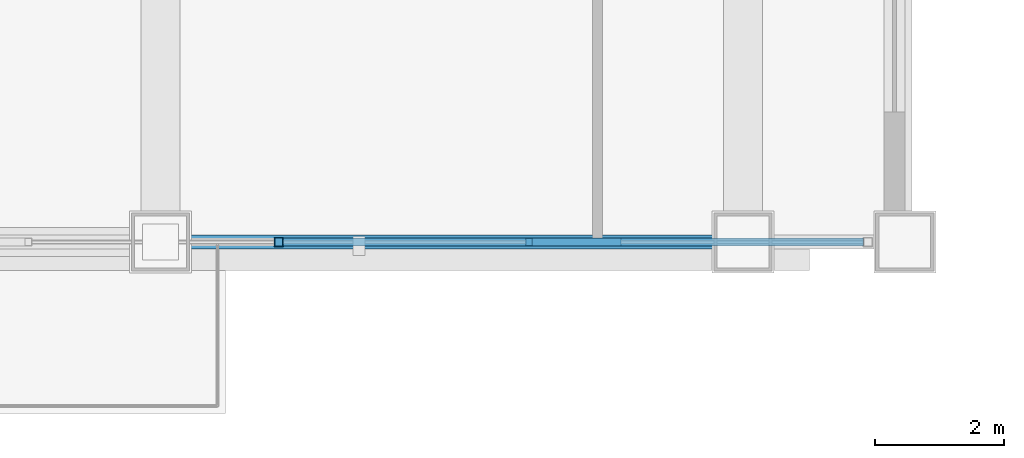
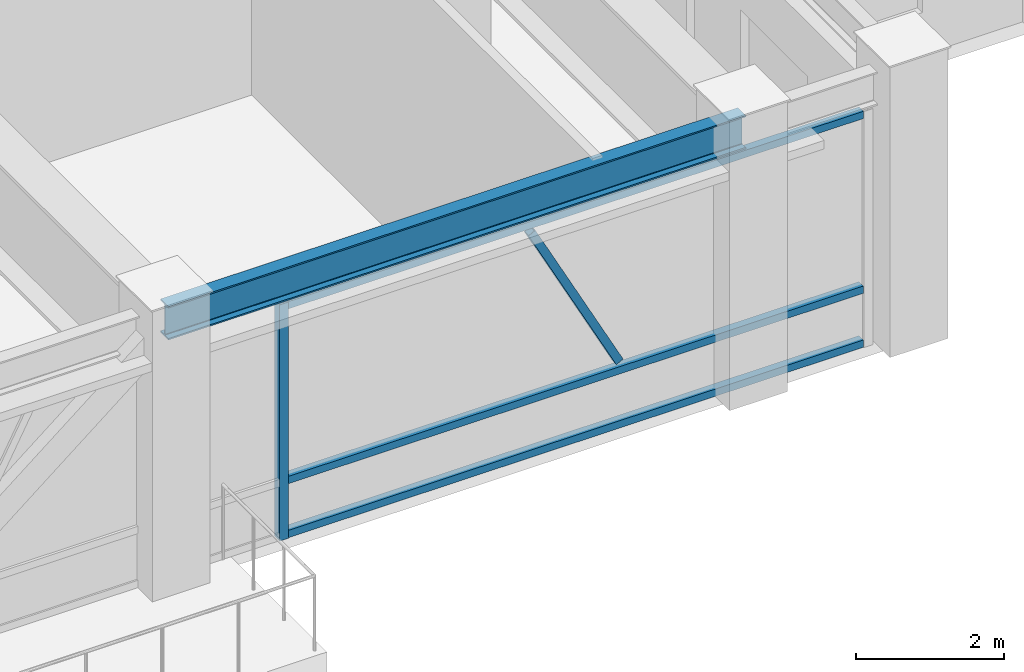
# One storey, part 8 of 31: 5 members, 1 beam, 1 element without a shape of its own.
"""IFC4 building model written with IfcOpenShell, lengths in metres."""

from ifc_helpers import new_model, si_unit, direction, frame, origin, origin_2d, place, context, subcontext, project, spatial, hollow_rectangle, i_section, extrude, source, transform, mapped, material, material_profile, profile_set, type_object, element, aggregate, save


model = new_model("IFC4")

# Units and contexts
model_context = context("Model", 3, precision=1e-05, world=origin(), true_north=direction((0.0, 1.0)))
body_context = subcontext(model_context, "Body", "Model", "MODEL_VIEW")
ifc_project = project(units=[si_unit("LENGTHUNIT", "METRE"), si_unit("AREAUNIT", "SQUARE_METRE"), si_unit("VOLUMEUNIT", "CUBIC_METRE"), si_unit("PLANEANGLEUNIT", "RADIAN"), si_unit("MASSUNIT", "GRAM", prefix="KILO")], contexts=[model_context])

# Site, building, storey
site_placement = place(None, origin())
site = spatial("IfcSite", under=ifc_project, at=site_placement, CompositionType="ELEMENT")
building_placement = place(site_placement, origin())
building = spatial("IfcBuilding", under=site, at=building_placement, Name="Khorayat Bourse Tower", CompositionType="ELEMENT")
storey_placement = place(building_placement, frame((0.0, 0.0, 321.5)))
storey = spatial("IfcBuildingStorey", under=building, at=storey_placement, Name="L76", CompositionType="ELEMENT", Elevation=321.5)

# Beam
ifc_material_1 = material(Name="Steel ASTM A992 Grade 50", Category="steel")
ifc_material_profile_1 = material_profile(ifc_material_1, i_section(OverallWidth=0.214111328125, OverallDepth=0.549072265625, WebThickness=0.0146484375, FlangeThickness=0.023681640625, FilletRadius=0.013916015625, at=origin_2d()), Name="W530X138")
ifc_profile_set_1 = profile_set([ifc_material_profile_1], Name="Steel ASTM A992 Grade 50")
beam_type = type_object("IfcBeamType", Name="BM-SPAN-530", PredefinedType="SPANDREL", material=ifc_profile_set_1)
shared_shape_1 = source(origin(), body_context, "Body", "SweptSolid", [
    extrude(i_section(OverallWidth=0.214111328125, OverallDepth=0.549072265625, WebThickness=0.0146484375, FlangeThickness=0.023681640625, FilletRadius=0.013916015625, at=origin_2d()), origin(), (0.0, 0.0, 1.0), 9.0),
])
beam_placement = place(storey_placement, frame((11.0, -28.0, 4.2255859375), z_axis=(1.0, 0.0, 0.0), x_axis=(0.0, 1.0, 0.0)))
element("IfcBeam", 1, at=beam_placement, inside=storey, type_object=beam_type, Name="L76 BM-SPAN-530 BM-L76-SPN-030", PredefinedType="SPANDREL", context=body_context, shape_type="MappedRepresentation", body=[
    mapped(shared_shape_1, transform((0.0, 0.0, 0.0), scale=1.0)),
])

# Curtain wall, members
ifc_material_2 = material(Name="Aluminium EN AW-6063 T6", Category="aluminium")
curtain_wall_type = type_object("IfcCurtainWallType", Name="CW-SYS-05", PredefinedType="NOTDEFINED", material=ifc_material_2)
curtain_wall_placement = place(storey_placement, origin())
curtain_wall = element("IfcCurtainWall", 2, at=curtain_wall_placement, inside=storey, type_object=curtain_wall_type, Name="L76 Curtain Wall CW-L76-S2", PredefinedType="NOTDEFINED")
ifc_material_profile_2 = material_profile(ifc_material_2, hollow_rectangle(XDim=0.139892578125, YDim=0.139892578125, WallThickness=0.006103515625, at=origin_2d()), Name="ALU 140x140x6")
ifc_profile_set_2 = profile_set([ifc_material_profile_2], Name="Aluminium EN AW-6063 T6")
member_type_1 = type_object("IfcMemberType", Name="CWM-VERT-140", PredefinedType="MULLION", material=ifc_profile_set_2)
shared_shape_2 = source(origin(), body_context, "Body", "SweptSolid", [
    extrude(hollow_rectangle(XDim=0.139892578125, YDim=0.139892578125, WallThickness=0.006103515625, at=origin_2d()), origin(), (0.0, 0.0, 1.0), 3.889892578125),
])
member_1_placement = place(storey_placement, frame((12.824951171875, -28.0, 0.0), z_axis=(0.0, 0.0, 1.0), x_axis=(0.0, 1.0, 0.0)))
member_1 = element("IfcMember", 3, at=member_1_placement, type_object=member_type_1, Name="CW-L76-S2 Vertical Mullion 2", PredefinedType="MULLION", context=body_context, shape_type="MappedRepresentation", body=[
    mapped(shared_shape_2, transform((0.0, 0.0, 0.0), scale=1.0)),
])
ifc_material_profile_3 = material_profile(ifc_material_2, hollow_rectangle(XDim=0.1201171875, YDim=0.1201171875, WallThickness=0.0048828125, at=origin_2d()), Name="ALU 120x120x5")
ifc_profile_set_3 = profile_set([ifc_material_profile_3], Name="Aluminium EN AW-6063 T6")
member_type_2 = type_object("IfcMemberType", Name="CWM-DIAG-120", PredefinedType="MULLION", material=ifc_profile_set_3)
shared_shape_3 = source(origin(), body_context, "Body", "SweptSolid", [
    extrude(hollow_rectangle(XDim=0.1201171875, YDim=0.1201171875, WallThickness=0.0048828125, at=origin_2d()), origin(), (0.0, 0.0, 1.0), 2.93798828125),
])
member_2_placement = place(storey_placement, frame((18.061767578125, -28.0, 1.090087890625), z_axis=(-0.465763557035, 0.0, 0.884909209432), x_axis=(0.0, -1.0, 0.0)))
member_2 = element("IfcMember", 4, at=member_2_placement, type_object=member_type_2, Name="CW-L76-S2 Faceted Diagonal Mullion 2", PredefinedType="MULLION", context=body_context, shape_type="MappedRepresentation", body=[
    mapped(shared_shape_3, transform((0.0, 0.0, 0.0), scale=1.0)),
])
ifc_material_profile_4 = material_profile(ifc_material_2, hollow_rectangle(XDim=0.1201171875, YDim=0.1201171875, WallThickness=0.0048828125, at=origin_2d()), Name="ALU 120x120x5")
ifc_profile_set_4 = profile_set([ifc_material_profile_4], Name="Aluminium EN AW-6063 T6")
member_type_3 = type_object("IfcMemberType", Name="CWT-HORZ-120", PredefinedType="USERDEFINED", material=ifc_profile_set_4)
shared_shape_4 = source(origin(), body_context, "Body", "SweptSolid", [
    extrude(hollow_rectangle(XDim=0.1201171875, YDim=0.1201171875, WallThickness=0.0048828125, at=origin_2d()), origin(), (0.0, 0.0, 1.0), 8.965087890625),
])
member_3_placement = place(storey_placement, frame((12.89501953125, -28.0, 0.06005859375), z_axis=(1.0, 0.0, 0.0), x_axis=(0.0, 1.0, 0.0)))
member_3 = element("IfcMember", 5, at=member_3_placement, type_object=member_type_3, Name="CW-L76-S2 Horizontal Transom 2-1", ObjectType="TRANSOM", PredefinedType="USERDEFINED", context=body_context, shape_type="MappedRepresentation", body=[
    mapped(shared_shape_4, transform((0.0, 0.0, 0.0), scale=1.0)),
])
member_4_placement = place(storey_placement, frame((12.89501953125, -28.0, 0.949951171875), z_axis=(1.0, 0.0, 0.0), x_axis=(0.0, 1.0, 0.0)))
member_4 = element("IfcMember", 6, at=member_4_placement, type_object=member_type_3, Name="CW-L76-S2 Horizontal Transom 2-2", ObjectType="TRANSOM", PredefinedType="USERDEFINED", context=body_context, shape_type="MappedRepresentation", body=[
    mapped(shared_shape_4, transform((0.0, 0.0, 0.0), scale=1.0)),
])
member_5_placement = place(storey_placement, frame((12.89501953125, -28.0, 3.830078125), z_axis=(1.0, 0.0, 0.0), x_axis=(0.0, 1.0, 0.0)))
member_5 = element("IfcMember", 7, at=member_5_placement, type_object=member_type_3, Name="CW-L76-S2 Horizontal Transom 2-3", ObjectType="TRANSOM", PredefinedType="USERDEFINED", context=body_context, shape_type="MappedRepresentation", body=[
    mapped(shared_shape_4, transform((0.0, 0.0, 0.0), scale=1.0)),
])
aggregate(curtain_wall, [member_1, member_3, member_4, member_5, member_2])

save(model, "model.ifc")
